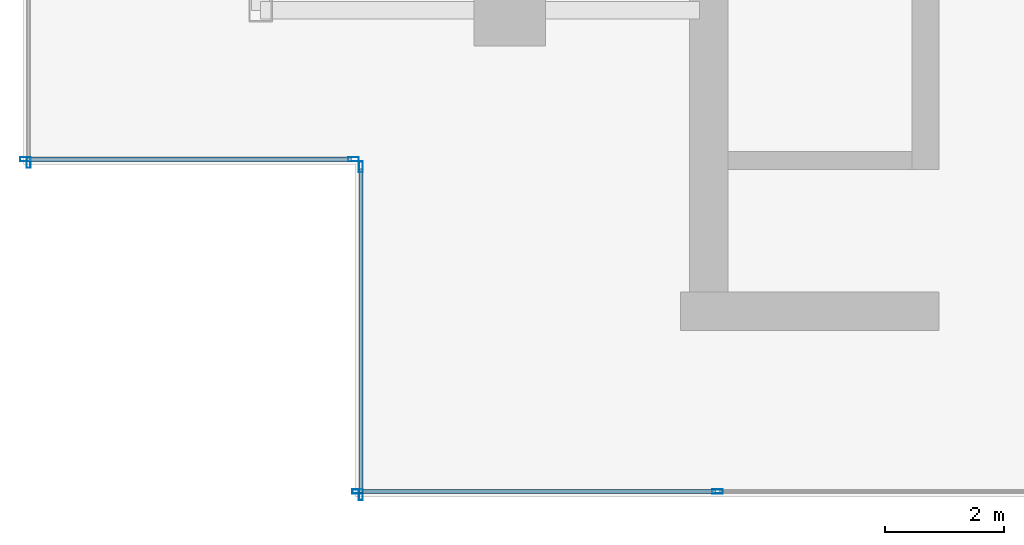
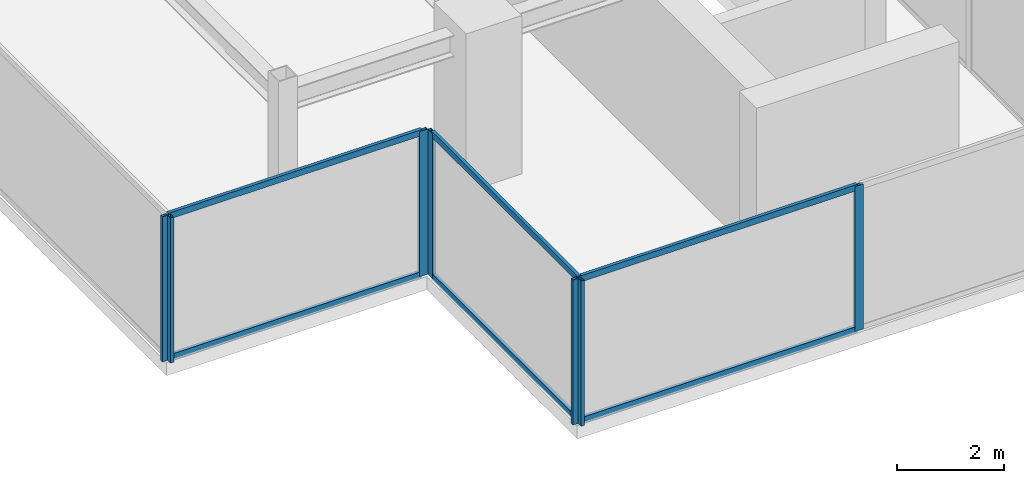
# One storey, part 2 of 25: 13 members, 4 elements without a shape of their own.
"""IFC4 building model written with IfcOpenShell, lengths in metres."""

from ifc_helpers import new_model, si_unit, direction, frame, origin, origin_2d, place, context, subcontext, project, spatial, hollow_rectangle, extrude, source, transform, mapped, material, material_profile, profile_set, type_object, type_shapes, element, aggregate, save


model = new_model("IFC4")

# Units and contexts
model_context = context("Model", 3, precision=1e-05, world=origin(), true_north=direction((0.0, 1.0)))
body_context = subcontext(model_context, "Body", "Model", "MODEL_VIEW")
ifc_project = project(units=[si_unit("LENGTHUNIT", "METRE"), si_unit("AREAUNIT", "SQUARE_METRE"), si_unit("VOLUMEUNIT", "CUBIC_METRE"), si_unit("PLANEANGLEUNIT", "RADIAN"), si_unit("MASSUNIT", "GRAM", prefix="KILO")], contexts=[model_context])

# Site, building, storey
site_placement = place(None, origin())
site = spatial("IfcSite", under=ifc_project, at=site_placement, CompositionType="ELEMENT")
building_placement = place(site_placement, origin())
building = spatial("IfcBuilding", under=site, at=building_placement, Name="Krantzveldt Concourse Tower", CompositionType="ELEMENT")
storey_placement = place(building_placement, frame((0.0, 0.0, 374.64990234375)))
storey = spatial("IfcBuildingStorey", under=building, at=storey_placement, Name="L92", CompositionType="ELEMENT", Elevation=374.64990234375)

# Curtain wall, members
ifc_material = material(Name="Anodised aluminium 6063-T6", Category="aluminium")
curtain_wall_type = type_object("IfcCurtainWallType", Name="CW7", PredefinedType="USERDEFINED", material=ifc_material)
curtain_wall_1_placement = place(storey_placement, origin())
curtain_wall_1 = element("IfcCurtainWall", 1, at=curtain_wall_1_placement, inside=storey, type_object=curtain_wall_type, Name="CW-L92-WEST-06", ObjectType="UNITISED CURTAIN WALL", PredefinedType="USERDEFINED")
ifc_material_profile_1 = material_profile(ifc_material, hollow_rectangle(XDim=0.070068359375, YDim=0.139892578125, WallThickness=0.0048828125, at=origin_2d()), Name="Anodised aluminium 6063-T6", Category="aluminium")
ifc_profile_set_1 = profile_set([ifc_material_profile_1], Name="Anodised aluminium 6063-T6 - ALU-TRAN 140x70x5")
member_type_1 = type_object("IfcMemberType", Name="CW-TRN-150", PredefinedType="USERDEFINED", material=ifc_profile_set_1)
shared_shape_1 = source(origin(), body_context, "Body", "SweptSolid", [
    extrude(hollow_rectangle(XDim=0.070068359375, YDim=0.139892578125, WallThickness=0.0048828125, at=origin_2d()), origin(), (0.0, 0.0, 1.0), 5.4599609375),
])
member_1_placement = place(storey_placement, frame((17.070068359375, 13.389892578125, 0.03515625), z_axis=(1.0, 0.0, 0.0), x_axis=(0.0, 1.0, 0.0)))
member_1 = element("IfcMember", 2, at=member_1_placement, type_object=member_type_1, Name="CW-CRN transom 1.1", ObjectType="TRANSOM", PredefinedType="USERDEFINED", context=body_context, shape_type="MappedRepresentation", body=[
    mapped(shared_shape_1, transform((0.0, 0.0, 0.0), x_axis=(1.0, 0.0, 0.0), y_axis=(0.0, 1.0, 0.0), z_axis=(0.0, 0.0, 1.0), scale=1.0)),
])
member_2_placement = place(storey_placement, frame((17.070068359375, 13.389892578125, 3.26513671875), z_axis=(1.0, 0.0, 0.0), x_axis=(0.0, 1.0, 0.0)))
member_2 = element("IfcMember", 3, at=member_2_placement, type_object=member_type_1, Name="CW-CRN transom 1.2", ObjectType="TRANSOM", PredefinedType="USERDEFINED", context=body_context, shape_type="MappedRepresentation", body=[
    mapped(shared_shape_1, transform((0.0, 0.0, 0.0), x_axis=(1.0, 0.0, 0.0), y_axis=(0.0, 1.0, 0.0), z_axis=(0.0, 0.0, 1.0), scale=1.0)),
])

curtain_wall_2_placement = place(storey_placement, origin())
curtain_wall_2 = element("IfcCurtainWall", 4, at=curtain_wall_2_placement, inside=storey, type_object=curtain_wall_type, Name="CW-L92-WEST-07", ObjectType="UNITISED CURTAIN WALL", PredefinedType="USERDEFINED")
member_3_placement = place(storey_placement, frame((22.68994140625, 13.22998046875, 0.03515625), z_axis=(0.0, -1.0, 0.0), x_axis=(1.0, 0.0, 0.0)))
member_3 = element("IfcMember", 5, at=member_3_placement, type_object=member_type_1, Name="CW-CRN transom 1.1", ObjectType="TRANSOM", PredefinedType="USERDEFINED", context=body_context, shape_type="MappedRepresentation", body=[
    mapped(shared_shape_1, transform((0.0, 0.0, 0.0), x_axis=(1.0, 0.0, 0.0), y_axis=(0.0, 1.0, 0.0), z_axis=(0.0, 0.0, 1.0), scale=1.0)),
])
member_4_placement = place(storey_placement, frame((22.68994140625, 13.22998046875, 3.26513671875), z_axis=(0.0, -1.0, 0.0), x_axis=(1.0, 0.0, 0.0)))
member_4 = element("IfcMember", 6, at=member_4_placement, type_object=member_type_1, Name="CW-CRN transom 1.2", ObjectType="TRANSOM", PredefinedType="USERDEFINED", context=body_context, shape_type="MappedRepresentation", body=[
    mapped(shared_shape_1, transform((0.0, 0.0, 0.0), x_axis=(1.0, 0.0, 0.0), y_axis=(0.0, 1.0, 0.0), z_axis=(0.0, 0.0, 1.0), scale=1.0)),
])

curtain_wall_3_placement = place(storey_placement, origin())
curtain_wall_3 = element("IfcCurtainWall", 7, at=curtain_wall_3_placement, inside=storey, type_object=curtain_wall_type, Name="CW-L92-WEST-00", ObjectType="UNITISED CURTAIN WALL", PredefinedType="USERDEFINED")
shared_shape_2 = source(origin(), body_context, "Body", "SweptSolid", [
    extrude(hollow_rectangle(XDim=0.070068359375, YDim=0.139892578125, WallThickness=0.0048828125, at=origin_2d()), origin(), (0.0, 0.0, 1.0), 5.9951171875),
])
type_shapes(member_type_1, [shared_shape_1, shared_shape_2])
member_5_placement = place(storey_placement, frame((22.669921875, 7.7900390625, 0.03515625), z_axis=(1.0, 0.0, 0.0), x_axis=(0.0, 1.0, 0.0)))
member_5 = element("IfcMember", 8, at=member_5_placement, type_object=member_type_1, Name="CW-CRN transom 1.1", ObjectType="TRANSOM", PredefinedType="USERDEFINED", context=body_context, shape_type="MappedRepresentation", body=[
    mapped(shared_shape_2, transform((0.0, 0.0, 0.0), x_axis=(1.0, 0.0, 0.0), y_axis=(0.0, 1.0, 0.0), z_axis=(0.0, 0.0, 1.0), scale=1.0)),
])
member_6_placement = place(storey_placement, frame((22.669921875, 7.7900390625, 3.26513671875), z_axis=(1.0, 0.0, 0.0), x_axis=(0.0, 1.0, 0.0)))
member_6 = element("IfcMember", 9, at=member_6_placement, type_object=member_type_1, Name="CW-CRN transom 1.2", ObjectType="TRANSOM", PredefinedType="USERDEFINED", context=body_context, shape_type="MappedRepresentation", body=[
    mapped(shared_shape_2, transform((0.0, 0.0, 0.0), x_axis=(1.0, 0.0, 0.0), y_axis=(0.0, 1.0, 0.0), z_axis=(0.0, 0.0, 1.0), scale=1.0)),
])
ifc_material_profile_2 = material_profile(ifc_material, hollow_rectangle(XDim=0.070068359375, YDim=0.179931640625, WallThickness=0.0048828125, at=origin_2d()), Name="Anodised aluminium 6063-T6", Category="aluminium")
ifc_profile_set_2 = profile_set([ifc_material_profile_2], Name="Anodised aluminium 6063-T6 - ALU-MULL 180x70x5")
member_type_2 = type_object("IfcMemberType", Name="CW-MUL-180", PredefinedType="MULLION", material=ifc_profile_set_2)
shared_shape_3 = source(origin(), body_context, "Body", "SweptSolid", [
    extrude(hollow_rectangle(XDim=0.070068359375, YDim=0.179931640625, WallThickness=0.0048828125, at=origin_2d()), origin(), (0.0, 0.0, 1.0), 3.300048828125),
])
type_shapes(member_type_2, [shared_shape_3])
member_7_placement = place(storey_placement, frame((22.635009765625, 7.7900390625, 0.0), z_axis=(0.0, 0.0, 1.0), x_axis=(0.0, 1.0, 0.0)))
member_7 = element("IfcMember", 10, at=member_7_placement, type_object=member_type_2, Name="CW-CRN mullion 1", PredefinedType="MULLION", context=body_context, shape_type="MappedRepresentation", body=[
    mapped(shared_shape_3, transform((0.0, 0.0, 0.0), x_axis=(1.0, 0.0, 0.0), y_axis=(0.0, 1.0, 0.0), z_axis=(0.0, 0.0, 1.0), scale=1.0)),
])
member_8_placement = place(storey_placement, frame((28.699951171875, 7.7900390625, 0.0), z_axis=(0.0, 0.0, 1.0), x_axis=(0.0, 1.0, 0.0)))
member_8 = element("IfcMember", 11, at=member_8_placement, type_object=member_type_2, Name="CW-CRN mullion 2", PredefinedType="MULLION", context=body_context, shape_type="MappedRepresentation", body=[
    mapped(shared_shape_3, transform((0.0, 0.0, 0.0), x_axis=(1.0, 0.0, 0.0), y_axis=(0.0, 1.0, 0.0), z_axis=(0.0, 0.0, 1.0), scale=1.0)),
])
aggregate(curtain_wall_3, [member_7, member_8, member_5, member_6])

# Curtain wall, member
curtain_wall_4_placement = place(storey_placement, origin())
curtain_wall_4 = element("IfcCurtainWall", 12, at=curtain_wall_4_placement, inside=storey, type_object=curtain_wall_type, Name="CW-L92-WEST-05", ObjectType="UNITISED CURTAIN WALL", PredefinedType="USERDEFINED")
member_9_placement = place(storey_placement, frame((17.090087890625, 13.3349609375, 0.0), z_axis=(0.0, 0.0, 1.0), x_axis=(1.0, 0.0, 0.0)))
member_9 = element("IfcMember", 13, at=member_9_placement, type_object=member_type_2, Name="CW-CRN mullion 5", PredefinedType="MULLION", context=body_context, shape_type="MappedRepresentation", body=[
    mapped(shared_shape_3, transform((0.0, 0.0, 0.0), x_axis=(1.0, 0.0, 0.0), y_axis=(0.0, 1.0, 0.0), z_axis=(0.0, 0.0, 1.0), scale=1.0)),
])
aggregate(curtain_wall_4, [member_9])

# Member
member_10_placement = place(storey_placement, frame((17.034912109375, 13.389892578125, 0.0), z_axis=(0.0, 0.0, 1.0), x_axis=(0.0, 1.0, 0.0)))
member_10 = element("IfcMember", 14, at=member_10_placement, type_object=member_type_2, Name="CW-CRN mullion 1", PredefinedType="MULLION", context=body_context, shape_type="MappedRepresentation", body=[
    mapped(shared_shape_3, transform((0.0, 0.0, 0.0), x_axis=(1.0, 0.0, 0.0), y_axis=(0.0, 1.0, 0.0), z_axis=(0.0, 0.0, 1.0), scale=1.0)),
])

member_11_placement = place(storey_placement, frame((22.56494140625, 13.389892578125, 0.0), z_axis=(0.0, 0.0, 1.0), x_axis=(0.0, 1.0, 0.0)))
member_11 = element("IfcMember", 15, at=member_11_placement, type_object=member_type_2, Name="CW-CRN mullion 2", PredefinedType="MULLION", context=body_context, shape_type="MappedRepresentation", body=[
    mapped(shared_shape_3, transform((0.0, 0.0, 0.0), x_axis=(1.0, 0.0, 0.0), y_axis=(0.0, 1.0, 0.0), z_axis=(0.0, 0.0, 1.0), scale=1.0)),
])

aggregate(curtain_wall_1, [member_10, member_11, member_1, member_2])

member_12_placement = place(storey_placement, frame((22.68994140625, 13.264892578125, 0.0), z_axis=(0.0, 0.0, 1.0), x_axis=(1.0, 0.0, 0.0)))
member_12 = element("IfcMember", 16, at=member_12_placement, type_object=member_type_2, Name="CW-CRN mullion 1", PredefinedType="MULLION", context=body_context, shape_type="MappedRepresentation", body=[
    mapped(shared_shape_3, transform((0.0, 0.0, 0.0), x_axis=(1.0, 0.0, 0.0), y_axis=(0.0, 1.0, 0.0), z_axis=(0.0, 0.0, 1.0), scale=1.0)),
])

member_13_placement = place(storey_placement, frame((22.68994140625, 7.735107421875, 0.0), z_axis=(0.0, 0.0, 1.0), x_axis=(1.0, 0.0, 0.0)))
member_13 = element("IfcMember", 17, at=member_13_placement, type_object=member_type_2, Name="CW-CRN mullion 2", PredefinedType="MULLION", context=body_context, shape_type="MappedRepresentation", body=[
    mapped(shared_shape_3, transform((0.0, 0.0, 0.0), x_axis=(1.0, 0.0, 0.0), y_axis=(0.0, 1.0, 0.0), z_axis=(0.0, 0.0, 1.0), scale=1.0)),
])

aggregate(curtain_wall_2, [member_12, member_13, member_3, member_4])

save(model, "model.ifc")
